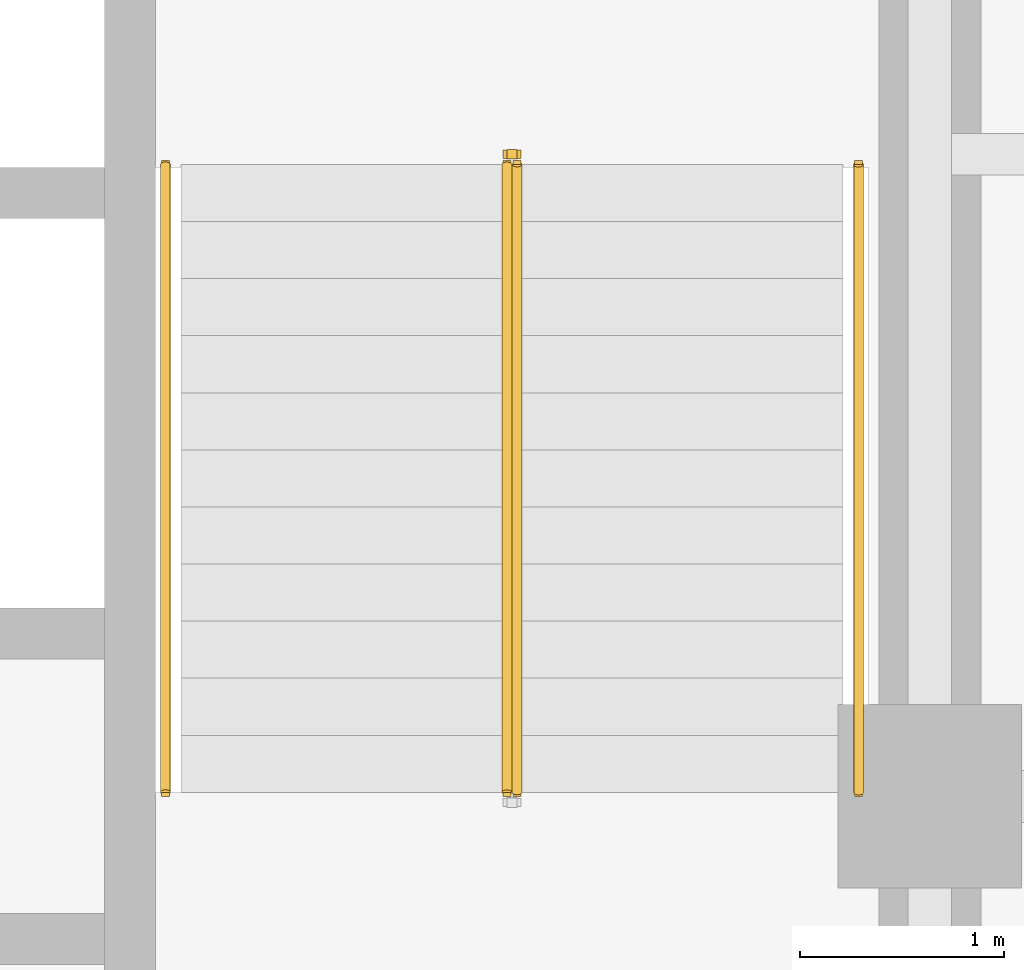
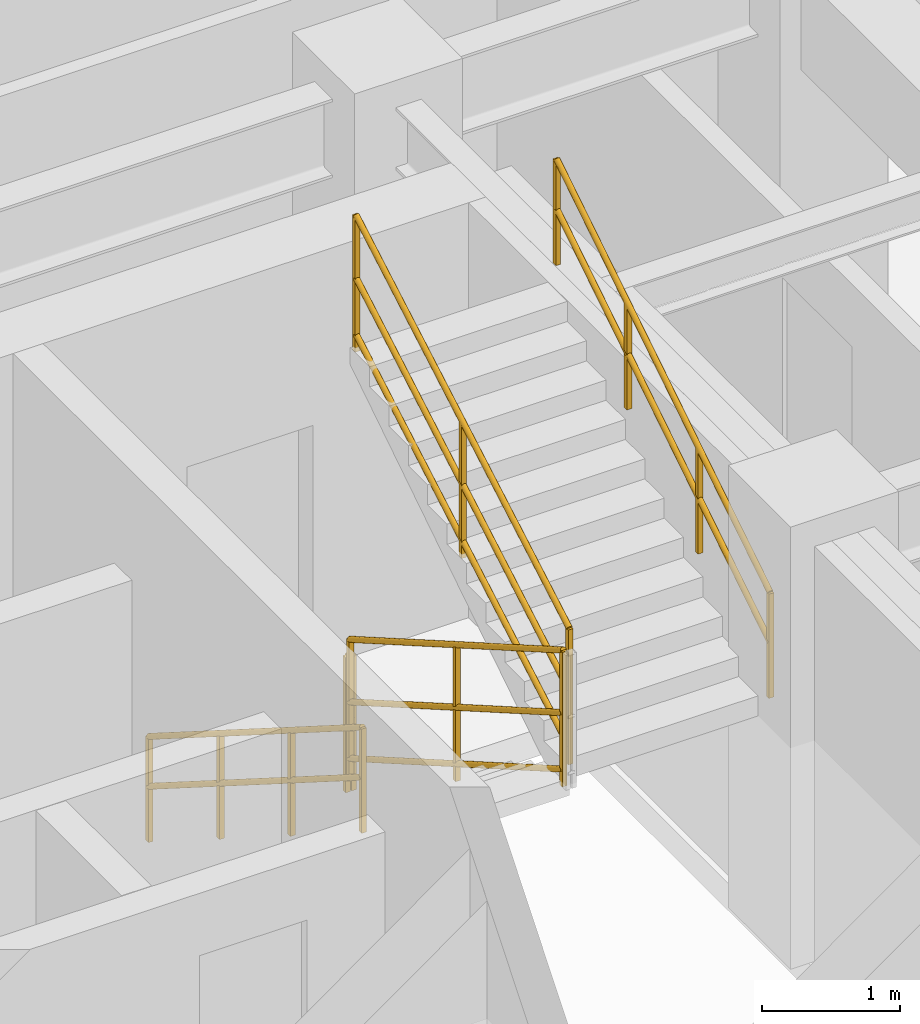
# One storey, part 10 of 11: 5 railings.
"""IFC4 building model written with IfcOpenShell, lengths in metres."""

from ifc_helpers import new_model, entity, si_unit, converted_unit, direction, frame, origin_with_axes, origin_2d_with_axis, place, context, subcontext, project, spatial, rectangle, circle, extrude, material, type_object, element, save


model = new_model("IFC4")

# Units and contexts
model_context = context("Model", 3, precision=1e-05, world=origin_with_axes(), true_north=direction((0.0, 1.0)))
body_context = subcontext(model_context, "Body", "Model", "MODEL_VIEW")
ifc_project = project(units=[si_unit("LENGTHUNIT", "METRE"), si_unit("AREAUNIT", "SQUARE_METRE"), si_unit("VOLUMEUNIT", "CUBIC_METRE"), converted_unit("PLANEANGLEUNIT", "DEGREE", entity("IfcPlaneAngleMeasure", 0.017453292519943295), si_unit("PLANEANGLEUNIT", "RADIAN"), dimensions=[0, 0, 0, 0, 0, 0, 0]), si_unit("MASSUNIT", "GRAM", prefix="KILO"), si_unit("THERMODYNAMICTEMPERATUREUNIT", "KELVIN")], contexts=[model_context])

# Site, building, storey
site_placement = place(None, origin_with_axes())
site = spatial("IfcSite", under=ifc_project, at=site_placement, CompositionType="ELEMENT")
building_placement = place(site_placement, origin_with_axes())
building = spatial("IfcBuilding", under=site, at=building_placement, Name="Varnlund Millrace Tower", CompositionType="ELEMENT")
storey_placement = place(building_placement, frame((0.0, 0.0, 208.2), z_axis=(0.0, 0.0, 1.0), x_axis=(1.0, 0.0, 0.0)))
storey = spatial("IfcBuildingStorey", under=building, at=storey_placement, Name="L51", CompositionType="ELEMENT", Elevation=208.2)

# Railings
ifc_material_1 = material(Name="Painted steel stair well balustrade guard", Category="steel")
railing_type_1 = type_object("IfcRailingType", Name="Type-StairGuard-1150", PredefinedType="GUARDRAIL", material=ifc_material_1)
railing_1_placement = place(storey_placement, frame((0.0, 0.0, -208.2), z_axis=(0.0, 0.0, 1.0), x_axis=(1.0, 0.0, 0.0)))
element("IfcRailing", 1, at=railing_1_placement, inside=storey, type_object=railing_type_1, Name="Type-StairGuard-1150", PredefinedType="GUARDRAIL", context=body_context, shape_type="SweptSolid", body=[
    extrude(circle(Radius=0.024, at=origin_2d_with_axis()), frame((45.975, 21.1, 209.527273), z_axis=(0.0, -0.866696, 0.498836), x_axis=(1.0, 0.0, 0.0)), (0.0, 0.0, 1.0), 3.553725),
    extrude(circle(Radius=0.024, at=origin_2d_with_axis()), frame((45.975, 21.1, 208.477273), z_axis=(0.0, -0.866696, 0.498836), x_axis=(1.0, 0.0, 0.0)), (0.0, 0.0, 1.0), 3.553725),
    extrude(circle(Radius=0.024, at=origin_2d_with_axis()), frame((45.975, 21.1, 208.975273), z_axis=(0.0, -0.866696, 0.498836), x_axis=(1.0, 0.0, 0.0)), (0.0, 0.0, 1.0), 3.553725),
    extrude(rectangle(XDim=0.04, YDim=0.04, at=origin_2d_with_axis()), frame((45.975, 21.1, 208.337273), z_axis=(0.0, 0.0, 1.0), x_axis=(1.0, 0.0, 0.0)), (0.0, 0.0, 1.0), 1.19),
    extrude(rectangle(XDim=0.04, YDim=0.04, at=origin_2d_with_axis()), frame((45.975, 19.56, 209.223637), z_axis=(0.0, 0.0, 1.0), x_axis=(1.0, 0.0, 0.0)), (0.0, 0.0, 1.0), 1.19),
    extrude(rectangle(XDim=0.04, YDim=0.04, at=origin_2d_with_axis()), frame((45.975, 18.02, 210.11), z_axis=(0.0, 0.0, 1.0), x_axis=(1.0, 0.0, 0.0)), (0.0, 0.0, 1.0), 1.19),
])
railing_2_placement = place(storey_placement, frame((0.0, 0.0, -208.2), z_axis=(0.0, 0.0, 1.0), x_axis=(1.0, 0.0, 0.0)))
element("IfcRailing", 2, at=railing_2_placement, inside=storey, type_object=railing_type_1, Name="Type-StairGuard-1150", PredefinedType="GUARDRAIL", context=body_context, shape_type="SweptSolid", body=[
    extrude(circle(Radius=0.024, at=origin_2d_with_axis()), frame((46.025, 18.02, 211.477273), z_axis=(0.0, 0.866696, 0.498836), x_axis=(-1.0, 0.0, 0.0)), (0.0, 0.0, 1.0), 3.553725),
    extrude(circle(Radius=0.024, at=origin_2d_with_axis()), frame((46.025, 18.02, 210.427273), z_axis=(0.0, 0.866696, 0.498836), x_axis=(-1.0, 0.0, 0.0)), (0.0, 0.0, 1.0), 3.553725),
    extrude(circle(Radius=0.024, at=origin_2d_with_axis()), frame((46.025, 18.02, 210.925273), z_axis=(0.0, 0.866696, 0.498836), x_axis=(-1.0, 0.0, 0.0)), (0.0, 0.0, 1.0), 3.553725),
    extrude(rectangle(XDim=0.04, YDim=0.04, at=origin_2d_with_axis()), frame((46.025, 18.02, 210.287273), z_axis=(0.0, 0.0, 1.0), x_axis=(1.0, 0.0, 0.0)), (0.0, 0.0, 1.0), 1.19),
    extrude(rectangle(XDim=0.04, YDim=0.04, at=origin_2d_with_axis()), frame((46.025, 19.56, 211.173637), z_axis=(0.0, 0.0, 1.0), x_axis=(1.0, 0.0, 0.0)), (0.0, 0.0, 1.0), 1.19),
    extrude(rectangle(XDim=0.04, YDim=0.04, at=origin_2d_with_axis()), frame((46.025, 21.1, 212.06), z_axis=(0.0, 0.0, 1.0), x_axis=(1.0, 0.0, 0.0)), (0.0, 0.0, 1.0), 1.19),
])
railing_3_placement = place(storey_placement, frame((0.0, 0.0, -208.2), z_axis=(0.0, 0.0, 1.0), x_axis=(1.0, 0.0, 0.0)))
element("IfcRailing", 3, at=railing_3_placement, inside=storey, type_object=railing_type_1, Name="Type-StairGuard-1150", PredefinedType="GUARDRAIL", context=body_context, shape_type="SweptSolid", body=[
    extrude(circle(Radius=0.024, at=origin_2d_with_axis()), frame((46.025, 21.15, 209.35), z_axis=(-1.0, 0.0, 0.0), x_axis=(0.0, -1.0, 0.0)), (0.0, 0.0, 1.0), 0.05),
    extrude(circle(Radius=0.024, at=origin_2d_with_axis()), frame((46.025, 21.15, 208.3), z_axis=(-1.0, 0.0, 0.0), x_axis=(0.0, -1.0, 0.0)), (0.0, 0.0, 1.0), 0.05),
    extrude(circle(Radius=0.024, at=origin_2d_with_axis()), frame((46.025, 21.15, 208.798), z_axis=(-1.0, 0.0, 0.0), x_axis=(0.0, -1.0, 0.0)), (0.0, 0.0, 1.0), 0.05),
    extrude(rectangle(XDim=0.04, YDim=0.04, at=origin_2d_with_axis()), frame((46.025, 21.15, 208.16), z_axis=(0.0, 0.0, 1.0), x_axis=(1.0, 0.0, 0.0)), (0.0, 0.0, 1.0), 1.19),
    extrude(rectangle(XDim=0.04, YDim=0.04, at=origin_2d_with_axis()), frame((45.975, 21.15, 208.16), z_axis=(0.0, 0.0, 1.0), x_axis=(1.0, 0.0, 0.0)), (0.0, 0.0, 1.0), 1.19),
])
ifc_material_2 = material(Name="Brushed architectural bronze stair handrail", Category="aluminium")
railing_type_2 = type_object("IfcRailingType", Name="Type-StairHandrail-900", PredefinedType="HANDRAIL", material=ifc_material_2)
railing_4_placement = place(storey_placement, frame((0.0, 0.0, -208.2), z_axis=(0.0, 0.0, 1.0), x_axis=(1.0, 0.0, 0.0)))
element("IfcRailing", 4, at=railing_4_placement, inside=storey, type_object=railing_type_2, Name="Type-StairHandrail-900", PredefinedType="HANDRAIL", context=body_context, shape_type="SweptSolid", body=[
    extrude(circle(Radius=0.024, at=origin_2d_with_axis()), frame((44.3, 21.1, 209.256995), z_axis=(0.0, -0.844902, 0.534922), x_axis=(1.0, 0.0, 0.0)), (0.0, 0.0, 1.0), 3.645394),
    extrude(circle(Radius=0.024, at=origin_2d_with_axis()), frame((44.3, 21.1, 208.817134), z_axis=(0.0, -0.844902, 0.534922), x_axis=(1.0, 0.0, 0.0)), (0.0, 0.0, 1.0), 3.645394),
    extrude(rectangle(XDim=0.04, YDim=0.04, at=origin_2d_with_axis()), frame((44.3, 21.1, 208.337273), z_axis=(0.0, 0.0, 1.0), x_axis=(1.0, 0.0, 0.0)), (0.0, 0.0, 1.0), 0.919722),
    extrude(rectangle(XDim=0.04, YDim=0.04, at=origin_2d_with_axis()), frame((44.3, 20.073333, 208.987273), z_axis=(0.0, 0.0, 1.0), x_axis=(1.0, 0.0, 0.0)), (0.0, 0.0, 1.0), 0.919722),
    extrude(rectangle(XDim=0.04, YDim=0.04, at=origin_2d_with_axis()), frame((44.3, 19.046667, 209.637273), z_axis=(0.0, 0.0, 1.0), x_axis=(1.0, 0.0, 0.0)), (0.0, 0.0, 1.0), 0.919722),
    extrude(rectangle(XDim=0.04, YDim=0.04, at=origin_2d_with_axis()), frame((44.3, 18.02, 210.287273), z_axis=(0.0, 0.0, 1.0), x_axis=(1.0, 0.0, 0.0)), (0.0, 0.0, 1.0), 0.919722),
])
railing_5_placement = place(storey_placement, frame((0.0, 0.0, -208.2), z_axis=(0.0, 0.0, 1.0), x_axis=(1.0, 0.0, 0.0)))
element("IfcRailing", 5, at=railing_5_placement, inside=storey, type_object=railing_type_2, Name="Type-StairHandrail-900", PredefinedType="HANDRAIL", context=body_context, shape_type="SweptSolid", body=[
    extrude(circle(Radius=0.024, at=origin_2d_with_axis()), frame((47.7, 18.02, 211.206995), z_axis=(0.0, 0.844902, 0.534922), x_axis=(-1.0, 0.0, 0.0)), (0.0, 0.0, 1.0), 3.645394),
    extrude(circle(Radius=0.024, at=origin_2d_with_axis()), frame((47.7, 18.02, 210.767134), z_axis=(0.0, 0.844902, 0.534922), x_axis=(-1.0, 0.0, 0.0)), (0.0, 0.0, 1.0), 3.645394),
    extrude(rectangle(XDim=0.04, YDim=0.04, at=origin_2d_with_axis()), frame((47.7, 18.02, 210.287273), z_axis=(0.0, 0.0, 1.0), x_axis=(1.0, 0.0, 0.0)), (0.0, 0.0, 1.0), 0.919722),
    extrude(rectangle(XDim=0.04, YDim=0.04, at=origin_2d_with_axis()), frame((47.7, 19.046667, 210.937273), z_axis=(0.0, 0.0, 1.0), x_axis=(1.0, 0.0, 0.0)), (0.0, 0.0, 1.0), 0.919722),
    extrude(rectangle(XDim=0.04, YDim=0.04, at=origin_2d_with_axis()), frame((47.7, 20.073333, 211.587273), z_axis=(0.0, 0.0, 1.0), x_axis=(1.0, 0.0, 0.0)), (0.0, 0.0, 1.0), 0.919722),
    extrude(rectangle(XDim=0.04, YDim=0.04, at=origin_2d_with_axis()), frame((47.7, 21.1, 212.237273), z_axis=(0.0, 0.0, 1.0), x_axis=(1.0, 0.0, 0.0)), (0.0, 0.0, 1.0), 0.919722),
])

save(model, "model.ifc")
